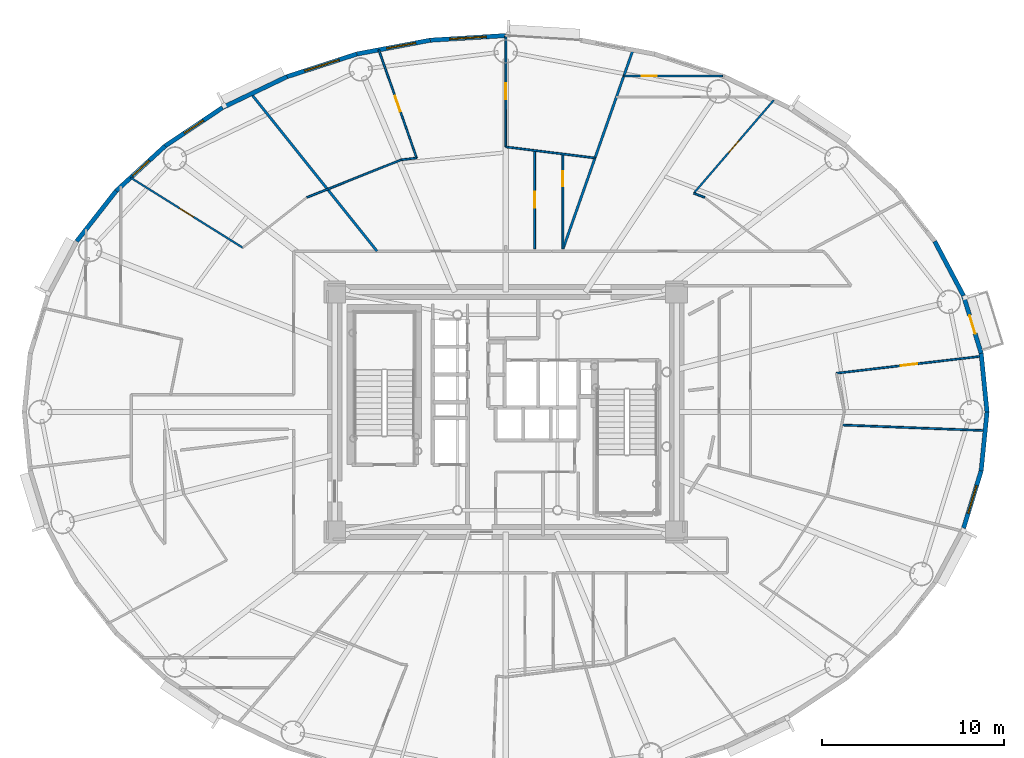
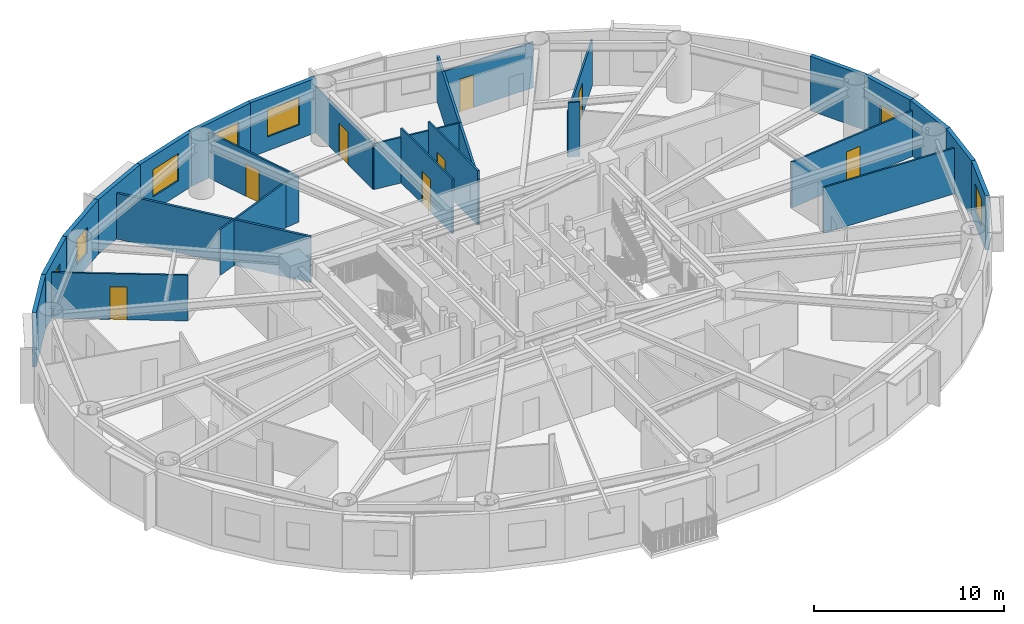
# One storey, part 10 of 18: 27 walls, 9 doors, 6 windows, 15 openings.
"""IFC4 building model written with IfcOpenShell, lengths in metres."""

from ifc_helpers import new_model, si_unit, direction, frame, frame_2d, origin, origin_2d, place, context, subcontext, project, spatial, rectangle, extrude, source, transform, mapped, material, layer, layer_set, type_object, element, fill, save


model = new_model("IFC4")

# Units and contexts
model_context = context("Model", 3, precision=1e-05, world=origin(), true_north=direction((0.0, 1.0)))
body_context = subcontext(model_context, "Body", "Model", "MODEL_VIEW")
ifc_project = project(units=[si_unit("LENGTHUNIT", "METRE"), si_unit("AREAUNIT", "SQUARE_METRE"), si_unit("VOLUMEUNIT", "CUBIC_METRE"), si_unit("PLANEANGLEUNIT", "RADIAN"), si_unit("MASSUNIT", "GRAM", prefix="KILO")], contexts=[model_context])

# Site, building, storey
site_placement = place(None, origin())
site = spatial("IfcSite", under=ifc_project, at=site_placement, CompositionType="ELEMENT")
building_placement = place(site_placement, origin())
building = spatial("IfcBuilding", under=site, at=building_placement, Name="Linh Dai School and Residence Tower", CompositionType="ELEMENT")
storey_placement = place(building_placement, frame((0.0, 0.0, 178.64990234375)))
storey = spatial("IfcBuildingStorey", under=building, at=storey_placement, Name="L43", CompositionType="ELEMENT", Elevation=178.64990234375)

# Wall
ifc_material_1 = material(Name="Precast Concrete B45 (C35/45)", Category="concrete")
ifc_layer_1 = layer(ifc_material_1, 0.239990234375)
ifc_layer_set_1 = layer_set([ifc_layer_1], Name="Precast Concrete B45 (C35/45)")
wall_type_1 = type_object("IfcWallType", Name="EW-TC-240", PredefinedType="SOLIDWALL", material=ifc_layer_set_1)
wall_1_placement = place(storey_placement, frame((62.14990234375, 30.233642578125, 0.0), z_axis=(0.0, 0.0, 1.0), x_axis=(0.100061534614, -0.994981250723, 0.0)))
element("IfcWall", 1, at=wall_1_placement, inside=storey, type_object=wall_type_1, Name="L43 Terracotta Exterior Wall 01", PredefinedType="SOLIDWALL", context=body_context, shape_type="SweptSolid", body=[
    extrude(rectangle(XDim=3.25, YDim=0.239990234375, at=frame_2d((1.625, 0.0))), origin(), (0.0, 0.0, 1.0), 3.5),
])

# Wall, opening, door
wall_2_placement = place(storey_placement, frame((61.1826171875, 33.388916015625, 0.0), z_axis=(0.0, 0.0, 1.0), x_axis=(0.293097995113, -0.956082405058, 0.0)))
wall_2 = element("IfcWall", 2, at=wall_2_placement, inside=storey, type_object=wall_type_1, Name="L43 Terracotta Exterior Wall 02", PredefinedType="SOLIDWALL", context=body_context, shape_type="SweptSolid", body=[
    extrude(rectangle(XDim=3.30029296875, YDim=0.239990234375, at=frame_2d((1.650146484375, 0.0))), origin(), (0.0, 0.0, 1.0), 3.5),
])
opening_1_placement = place(wall_2_placement, frame((1.125, 0.0, 0.0)))
opening_1 = element("IfcOpeningElement", 3, at=opening_1_placement, cuts=wall_2, Name="Opening BD1", PredefinedType="OPENING", context=body_context, shape_type="SweptSolid", body=[
    extrude(rectangle(XDim=1.050048828125, YDim=2.14990234375, at=origin_2d()), frame((0.52490234375, 0.1298828125, 1.074951171875), z_axis=(0.0, -1.0, 0.0), x_axis=(1.0, 0.0, 0.0)), (0.0, 0.0, 1.0), 0.260009765625),
])
ifc_material_2 = material(Name="Double-Glazed Balcony Door", Category="glass")
door_type_1 = type_object("IfcDoorType", Name="DR-BALC-1050x2150", OperationType="NOTDEFINED", PredefinedType="DOOR", material=ifc_material_2)
shared_shape_1 = source(origin(), body_context, "Body", "SweptSolid", [
    extrude(rectangle(XDim=1.050048828125, YDim=2.14990234375, at=origin_2d()), frame((0.52490234375, 0.02490234375, 1.074951171875), z_axis=(0.0, -1.0, 0.0), x_axis=(1.0, 0.0, 0.0)), (0.0, 0.0, 1.0), 0.050048828125),
])
door_1_placement = place(opening_1_placement, origin())
door_1 = element("IfcDoor", 4, at=door_1_placement, inside=storey, type_object=door_type_1, Name="L43 Glazed Balcony Door 02", OperationType="SINGLE_SWING_LEFT", OverallHeight=2.14990234375, OverallWidth=1.050048828125, PredefinedType="DOOR", context=body_context, shape_type="MappedRepresentation", body=[
    mapped(shared_shape_1, transform((0.0, 0.0, 0.0), x_axis=(1.0, 0.0, 0.0), y_axis=(0.0, 1.0, 0.0), z_axis=(0.0, 0.0, 1.0), scale=1.0)),
])
fill(opening_1, door_1)

# Wall
wall_3_placement = place(storey_placement, frame((59.595947265625, 36.388427734375, 0.0), z_axis=(0.0, 0.0, 1.0), x_axis=(0.467586874938, -0.88394712194, 0.0)))
element("IfcWall", 5, at=wall_3_placement, inside=storey, type_object=wall_type_1, Name="L43 Terracotta Exterior Wall 03", PredefinedType="SOLIDWALL", context=body_context, shape_type="SweptSolid", body=[
    extrude(rectangle(XDim=3.393310546875, YDim=0.239990234375, at=frame_2d((1.69677734375, 0.0))), origin(), (0.0, 0.0, 1.0), 3.5),
])

# Wall, opening, window
wall_4_placement = place(storey_placement, frame((31.854248046875, 47.449462890625, 0.0), z_axis=(0.0, 0.0, 1.0), x_axis=(0.998104600619, 0.061540281305, 0.0)))
wall_4 = element("IfcWall", 6, at=wall_4_placement, inside=storey, type_object=wall_type_1, Name="L43 Terracotta Exterior Wall 11", PredefinedType="SOLIDWALL", context=body_context, shape_type="SweptSolid", body=[
    extrude(rectangle(XDim=4.153564453125, YDim=0.239990234375, at=frame_2d((2.07666015625, 0.0))), origin(), (0.0, 0.0, 1.0), 3.5),
])
opening_2_placement = place(wall_4_placement, frame((1.08154296875, 0.0, 0.89990234375)))
opening_2 = element("IfcOpeningElement", 7, at=opening_2_placement, cuts=wall_4, Name="Opening W1", PredefinedType="OPENING", context=body_context, shape_type="SweptSolid", body=[
    extrude(rectangle(XDim=2.0, YDim=1.75, at=origin_2d()), frame((1.0, 0.1298828125, 0.875), z_axis=(0.0, -1.0, 0.0), x_axis=(1.0, 0.0, 0.0)), (0.0, 0.0, 1.0), 0.260009765625),
])
ifc_material_3 = material(Name="Double Low-E Insulated Glazing", Category="glass")
window_type_1 = type_object("IfcWindowType", Name="WN-RES-2000x1750", PartitioningType="DOUBLE_PANEL_VERTICAL", PredefinedType="WINDOW", material=ifc_material_3)
shared_shape_2 = source(origin(), body_context, "Body", "SweptSolid", [
    extrude(rectangle(XDim=2.0, YDim=1.75, at=origin_2d()), frame((1.0, 0.030029296875, 0.875), z_axis=(0.0, -1.0, 0.0), x_axis=(1.0, 0.0, 0.0)), (0.0, 0.0, 1.0), 0.06005859375),
])
window_1_placement = place(opening_2_placement, origin())
window_1 = element("IfcWindow", 8, at=window_1_placement, inside=storey, type_object=window_type_1, Name="L43 Exterior Window 11.1", OverallHeight=1.75, OverallWidth=2.0, PartitioningType="DOUBLE_PANEL_VERTICAL", PredefinedType="WINDOW", context=body_context, shape_type="MappedRepresentation", body=[
    mapped(shared_shape_2, transform((0.0, 0.0, 0.0), x_axis=(1.0, 0.0, 0.0), y_axis=(0.0, 1.0, 0.0), z_axis=(0.0, 0.0, 1.0), scale=1.0)),
])
fill(opening_2, window_1)

wall_5_placement = place(storey_placement, frame((27.81103515625, 46.689453125, 0.0), z_axis=(0.0, 0.0, 1.0), x_axis=(0.982788108205, 0.184736391573, 0.0)))
wall_5 = element("IfcWall", 9, at=wall_5_placement, inside=storey, type_object=wall_type_1, Name="L43 Terracotta Exterior Wall 12", PredefinedType="SOLIDWALL", context=body_context, shape_type="SweptSolid", body=[
    extrude(rectangle(XDim=4.114013671875, YDim=0.239990234375, at=frame_2d((2.05712890625, 0.0))), origin(), (0.0, 0.0, 1.0), 3.5),
])
opening_3_placement = place(wall_5_placement, frame((1.687255859375, 0.0, 0.89990234375)))
opening_3 = element("IfcOpeningElement", 10, at=opening_3_placement, cuts=wall_5, Name="Opening W2", PredefinedType="OPENING", context=body_context, shape_type="SweptSolid", body=[
    extrude(rectangle(XDim=1.60009765625, YDim=1.75, at=origin_2d()), frame((0.800048828125, 0.1298828125, 0.875), z_axis=(0.0, -1.0, 0.0), x_axis=(1.0, 0.0, 0.0)), (0.0, 0.0, 1.0), 0.260009765625),
])
window_type_2 = type_object("IfcWindowType", Name="WN-RES-1600x1750", PartitioningType="DOUBLE_PANEL_VERTICAL", PredefinedType="WINDOW", material=ifc_material_3)
shared_shape_3 = source(origin(), body_context, "Body", "SweptSolid", [
    extrude(rectangle(XDim=1.60009765625, YDim=1.75, at=origin_2d()), frame((0.800048828125, 0.030029296875, 0.875), z_axis=(0.0, -1.0, 0.0), x_axis=(1.0, 0.0, 0.0)), (0.0, 0.0, 1.0), 0.06005859375),
])
window_2_placement = place(opening_3_placement, origin())
window_2 = element("IfcWindow", 11, at=window_2_placement, inside=storey, type_object=window_type_2, Name="L43 Exterior Window 12.1", OverallHeight=1.75, OverallWidth=1.60009765625, PartitioningType="DOUBLE_PANEL_VERTICAL", PredefinedType="WINDOW", context=body_context, shape_type="MappedRepresentation", body=[
    mapped(shared_shape_3, transform((0.0, 0.0, 0.0), x_axis=(1.0, 0.0, 0.0), y_axis=(0.0, 1.0, 0.0), z_axis=(0.0, 0.0, 1.0), scale=1.0)),
])
fill(opening_3, window_2)

wall_6_placement = place(storey_placement, frame((23.97021484375, 45.443603515625, 0.0), z_axis=(0.0, 0.0, 1.0), x_axis=(0.951209870236, 0.30854462038, 0.0)))
wall_6 = element("IfcWall", 12, at=wall_6_placement, inside=storey, type_object=wall_type_1, Name="L43 Terracotta Exterior Wall 13", PredefinedType="SOLIDWALL", context=body_context, shape_type="SweptSolid", body=[
    extrude(rectangle(XDim=4.037841796875, YDim=0.239990234375, at=frame_2d((2.01904296875, 0.0))), origin(), (0.0, 0.0, 1.0), 3.5),
])
opening_4_placement = place(wall_6_placement, frame((1.01904296875, 0.0, 0.89990234375)))
opening_4 = element("IfcOpeningElement", 13, at=opening_4_placement, cuts=wall_6, Name="Opening W1", PredefinedType="OPENING", context=body_context, shape_type="SweptSolid", body=[
    extrude(rectangle(XDim=2.0, YDim=1.75, at=origin_2d()), frame((1.0, 0.1298828125, 0.875), z_axis=(0.0, -1.0, 0.0), x_axis=(1.0, 0.0, 0.0)), (0.0, 0.0, 1.0), 0.260009765625),
])
window_3_placement = place(opening_4_placement, origin())
window_3 = element("IfcWindow", 14, at=window_3_placement, inside=storey, type_object=window_type_1, Name="L43 Exterior Window 13.1", OverallHeight=1.75, OverallWidth=2.0, PartitioningType="DOUBLE_PANEL_VERTICAL", PredefinedType="WINDOW", context=body_context, shape_type="MappedRepresentation", body=[
    mapped(shared_shape_2, transform((0.0, 0.0, 0.0), x_axis=(1.0, 0.0, 0.0), y_axis=(0.0, 1.0, 0.0), z_axis=(0.0, 0.0, 1.0), scale=1.0)),
])
fill(opening_4, window_3)

# Wall
wall_7_placement = place(storey_placement, frame((20.4267578125, 43.7431640625, 0.0), z_axis=(0.0, 0.0, 1.0), x_axis=(0.901564733809, 0.432644231155, 0.0)))
element("IfcWall", 15, at=wall_7_placement, inside=storey, type_object=wall_type_1, Name="L43 Terracotta Exterior Wall 14", PredefinedType="SOLIDWALL", context=body_context, shape_type="SweptSolid", body=[
    extrude(rectangle(XDim=3.930419921875, YDim=0.239990234375, at=frame_2d((1.96533203125, 0.0))), origin(), (0.0, 0.0, 1.0), 3.5),
])

# Wall, opening, window
wall_8_placement = place(storey_placement, frame((17.26806640625, 41.630615234375, 0.0), z_axis=(0.0, 0.0, 1.0), x_axis=(0.831228998277, 0.555930168657, 0.0)))
wall_8 = element("IfcWall", 16, at=wall_8_placement, inside=storey, type_object=wall_type_1, Name="L43 Terracotta Exterior Wall 15", PredefinedType="SOLIDWALL", context=body_context, shape_type="SweptSolid", body=[
    extrude(rectangle(XDim=3.800048828125, YDim=0.239990234375, at=frame_2d((1.89990234375, 0.0))), origin(), (0.0, 0.0, 1.0), 3.5),
])
opening_5_placement = place(wall_8_placement, frame((1.27490234375, 0.0, 0.89990234375)))
opening_5 = element("IfcOpeningElement", 17, at=opening_5_placement, cuts=wall_8, Name="Opening W3", PredefinedType="OPENING", context=body_context, shape_type="SweptSolid", body=[
    extrude(rectangle(XDim=1.25, YDim=1.64990234375, at=origin_2d()), frame((0.625, 0.1298828125, 0.824951171875), z_axis=(0.0, -1.0, 0.0), x_axis=(1.0, 0.0, 0.0)), (0.0, 0.0, 1.0), 0.260009765625),
])
window_type_3 = type_object("IfcWindowType", Name="WN-RES-1250x1650", PartitioningType="SINGLE_PANEL", PredefinedType="WINDOW", material=ifc_material_3)
shared_shape_4 = source(origin(), body_context, "Body", "SweptSolid", [
    extrude(rectangle(XDim=1.25, YDim=1.64990234375, at=origin_2d()), frame((0.625, 0.030029296875, 0.824951171875), z_axis=(0.0, -1.0, 0.0), x_axis=(1.0, 0.0, 0.0)), (0.0, 0.0, 1.0), 0.06005859375),
])
window_4_placement = place(opening_5_placement, origin())
window_4 = element("IfcWindow", 18, at=window_4_placement, inside=storey, type_object=window_type_3, Name="L43 Dwelling Window U4303-BD1", OverallHeight=1.64990234375, OverallWidth=1.25, PartitioningType="SINGLE_PANEL", PredefinedType="WINDOW", context=body_context, shape_type="MappedRepresentation", body=[
    mapped(shared_shape_4, transform((0.0, 0.0, 0.0), x_axis=(1.0, 0.0, 0.0), y_axis=(0.0, 1.0, 0.0), z_axis=(0.0, 0.0, 1.0), scale=1.0)),
])
fill(opening_5, window_4)

wall_9_placement = place(storey_placement, frame((14.57177734375, 39.158447265625, 0.0), z_axis=(0.0, 0.0, 1.0), x_axis=(0.737076565834, 0.675809245349, 0.0)))
wall_9 = element("IfcWall", 19, at=wall_9_placement, inside=storey, type_object=wall_type_1, Name="L43 Terracotta Exterior Wall 16", PredefinedType="SOLIDWALL", context=body_context, shape_type="SweptSolid", body=[
    extrude(rectangle(XDim=3.658203125, YDim=0.239990234375, at=frame_2d((1.8291015625, 0.0))), origin(), (0.0, 0.0, 1.0), 3.5),
])
opening_6_placement = place(wall_9_placement, frame((1.22412109375, 0.0, 0.89990234375)))
opening_6 = element("IfcOpeningElement", 20, at=opening_6_placement, cuts=wall_9, Name="Opening W3", PredefinedType="OPENING", context=body_context, shape_type="SweptSolid", body=[
    extrude(rectangle(XDim=1.25, YDim=1.64990234375, at=origin_2d()), frame((0.625, 0.1298828125, 0.824951171875), z_axis=(0.0, -1.0, 0.0), x_axis=(1.0, 0.0, 0.0)), (0.0, 0.0, 1.0), 0.260009765625),
])
window_5_placement = place(opening_6_placement, origin())
window_5 = element("IfcWindow", 21, at=window_5_placement, inside=storey, type_object=window_type_3, Name="L43 Dwelling Window U4303-LIV", OverallHeight=1.64990234375, OverallWidth=1.25, PartitioningType="SINGLE_PANEL", PredefinedType="WINDOW", context=body_context, shape_type="MappedRepresentation", body=[
    mapped(shared_shape_4, transform((0.0, 0.0, 0.0), x_axis=(1.0, 0.0, 0.0), y_axis=(0.0, 1.0, 0.0), z_axis=(0.0, 0.0, 1.0), scale=1.0)),
])
fill(opening_6, window_5)

# Wall
wall_10_placement = place(storey_placement, frame((12.404052734375, 36.388427734375, 0.0), z_axis=(0.0, 0.0, 1.0), x_axis=(0.616287674549, 0.787521112224, 0.0)))
element("IfcWall", 22, at=wall_10_placement, inside=storey, type_object=wall_type_1, Name="L43 Terracotta Exterior Wall 17", PredefinedType="SOLIDWALL", context=body_context, shape_type="SweptSolid", body=[
    extrude(rectangle(XDim=3.517333984375, YDim=0.239990234375, at=frame_2d((1.7587890625, 0.0))), origin(), (0.0, 0.0, 1.0), 3.5),
])

# Wall, opening, window
wall_11_placement = place(storey_placement, frame((62.14990234375, 23.766357421875, 0.0), z_axis=(0.0, 0.0, 1.0), x_axis=(-0.293097995113, -0.956082405058, 0.0)))
wall_11 = element("IfcWall", 23, at=wall_11_placement, inside=storey, type_object=wall_type_1, Name="L43 Terracotta Exterior Wall 39", PredefinedType="SOLIDWALL", context=body_context, shape_type="SweptSolid", body=[
    extrude(rectangle(XDim=3.30029296875, YDim=0.239990234375, at=frame_2d((1.650146484375, 0.0))), origin(), (0.0, 0.0, 1.0), 3.5),
])
opening_7_placement = place(wall_11_placement, frame((0.85009765625, 0.0, 0.89990234375)))
opening_7 = element("IfcOpeningElement", 24, at=opening_7_placement, cuts=wall_11, Name="Opening W2", PredefinedType="OPENING", context=body_context, shape_type="SweptSolid", body=[
    extrude(rectangle(XDim=1.60009765625, YDim=1.75, at=origin_2d()), frame((0.800048828125, 0.1298828125, 0.875), z_axis=(0.0, -1.0, 0.0), x_axis=(1.0, 0.0, 0.0)), (0.0, 0.0, 1.0), 0.260009765625),
])
window_6_placement = place(opening_7_placement, origin())
window_6 = element("IfcWindow", 25, at=window_6_placement, inside=storey, type_object=window_type_2, Name="L43 Exterior Window 39.1", OverallHeight=1.75, OverallWidth=1.60009765625, PartitioningType="DOUBLE_PANEL_VERTICAL", PredefinedType="WINDOW", context=body_context, shape_type="MappedRepresentation", body=[
    mapped(shared_shape_3, transform((0.0, 0.0, 0.0), x_axis=(1.0, 0.0, 0.0), y_axis=(0.0, 1.0, 0.0), z_axis=(0.0, 0.0, 1.0), scale=1.0)),
])
fill(opening_7, window_6)

# Walls
wall_12_placement = place(storey_placement, frame((62.47509765625, 27.0, 0.0), z_axis=(0.0, 0.0, 1.0), x_axis=(-0.100061534614, -0.994981250723, 0.0)))
element("IfcWall", 26, at=wall_12_placement, inside=storey, type_object=wall_type_1, Name="L43 Terracotta Exterior Wall 40", PredefinedType="SOLIDWALL", context=body_context, shape_type="SweptSolid", body=[
    extrude(rectangle(XDim=3.25, YDim=0.239990234375, at=frame_2d((1.625, 0.0))), origin(), (0.0, 0.0, 1.0), 3.5),
])
ifc_material_4 = material(Name="Autoclaved Aerated Concrete Blockwork", Category="masonry")
ifc_layer_2 = layer(ifc_material_4, 0.135009765625)
ifc_layer_set_2 = layer_set([ifc_layer_2], Name="Autoclaved Aerated Concrete Blockwork")
wall_type_2 = type_object("IfcWallType", Name="IW-CORR-135-EI90", PredefinedType="PARTITIONING", material=ifc_layer_set_2)
wall_13_placement = place(storey_placement, frame((21.99853515625, 44.5029296875, 0.0), z_axis=(0.0, 0.0, 1.0), x_axis=(0.624673551917, -0.780886005468, 0.0)))
element("IfcWall", 27, at=wall_13_placement, inside=storey, type_object=wall_type_2, Name="L43 Interior Partition Wall 020", PredefinedType="PARTITIONING", context=body_context, shape_type="SweptSolid", body=[
    extrude(rectangle(XDim=11.080810546875, YDim=0.135009765625, at=frame_2d((5.54052734375, 0.0))), origin(), (0.0, 0.0, 1.0), 2.93505859375),
])
wall_14_placement = place(storey_placement, frame((39.154052734375, 35.97216796875, 0.0), z_axis=(0.0, 0.0, 1.0), x_axis=(0.331639887377, 0.94340605526, 0.0)))
element("IfcWall", 28, at=wall_14_placement, inside=storey, type_object=wall_type_2, Name="L43 Interior Partition Wall 070", PredefinedType="PARTITIONING", context=body_context, shape_type="SweptSolid", body=[
    extrude(rectangle(XDim=11.601806640625, YDim=0.135009765625, at=frame_2d((5.80078125, 0.0))), origin(), (0.0, 0.0, 1.0), 2.93505859375),
])

# Wall, opening, door
ifc_material_5 = material(Name="Gypsum Plasterboard Acoustic Stud Partition", Category="masonry")
ifc_layer_3 = layer(ifc_material_5, 0.10009765625)
ifc_layer_set_3 = layer_set([ifc_layer_3], Name="Gypsum Plasterboard Acoustic Stud Partition")
wall_type_3 = type_object("IfcWallType", Name="IW-UNIT-100", PredefinedType="PARTITIONING", material=ifc_layer_set_3)
wall_15_placement = place(storey_placement, frame((15.365966796875, 39.8935546875, 0.0), z_axis=(0.0, 0.0, 1.0), x_axis=(0.84804732756, -0.529920494242, 0.0)))
wall_15 = element("IfcWall", 29, at=wall_15_placement, inside=storey, type_object=wall_type_3, Name="L43 Interior Partition Wall 006", PredefinedType="PARTITIONING", context=body_context, shape_type="SweptSolid", body=[
    extrude(rectangle(XDim=7.273681640625, YDim=0.10009765625, at=frame_2d((3.63671875, 0.0))), origin(), (0.0, 0.0, 1.0), 2.93505859375),
])
opening_8_placement = place(wall_15_placement, frame((3.186767578125, 0.0, 0.0)))
opening_8 = element("IfcOpeningElement", 30, at=opening_8_placement, cuts=wall_15, Name="Opening D05", PredefinedType="OPENING", context=body_context, shape_type="SweptSolid", body=[
    extrude(rectangle(XDim=0.89990234375, YDim=2.10009765625, at=origin_2d()), frame((0.449951171875, 0.06005859375, 1.050048828125), z_axis=(0.0, -1.0, 0.0), x_axis=(1.0, 0.0, 0.0)), (0.0, 0.0, 1.0), 0.1201171875),
])
ifc_material_6 = material(Name="Engineered Timber Internal Door", Category="wood")
door_type_2 = type_object("IfcDoorType", Name="DR-INT-900x2100", OperationType="NOTDEFINED", PredefinedType="DOOR", material=ifc_material_6)
shared_shape_5 = source(origin(), body_context, "Body", "SweptSolid", [
    extrude(rectangle(XDim=0.89990234375, YDim=2.10009765625, at=origin_2d()), frame((0.449951171875, 0.02490234375, 1.050048828125), z_axis=(0.0, -1.0, 0.0), x_axis=(1.0, 0.0, 0.0)), (0.0, 0.0, 1.0), 0.050048828125),
])
door_2_placement = place(opening_8_placement, origin())
door_2 = element("IfcDoor", 31, at=door_2_placement, inside=storey, type_object=door_type_2, Name="L43 Apartment U4303 Principal Bedroom 1 Door", OperationType="SINGLE_SWING_RIGHT", OverallHeight=2.10009765625, OverallWidth=0.89990234375, PredefinedType="DOOR", context=body_context, shape_type="MappedRepresentation", body=[
    mapped(shared_shape_5, transform((0.0, 0.0, 0.0), x_axis=(1.0, 0.0, 0.0), y_axis=(0.0, 1.0, 0.0), z_axis=(0.0, 0.0, 1.0), scale=1.0)),
])
fill(opening_8, door_2)

# Wall
wall_16_placement = place(storey_placement, frame((25.055419921875, 38.79638671875, 0.0), z_axis=(0.0, 0.0, 1.0), x_axis=(0.928798710424, 0.370584613166, 0.0)))
element("IfcWall", 32, at=wall_16_placement, inside=storey, type_object=wall_type_3, Name="L43 Interior Partition Wall 025", PredefinedType="PARTITIONING", context=body_context, shape_type="SweptSolid", body=[
    extrude(rectangle(XDim=5.588623046875, YDim=0.10009765625, at=frame_2d((2.79443359375, 0.0))), origin(), (0.0, 0.0, 1.0), 2.93505859375),
])

# Wall, opening, door
wall_17_placement = place(storey_placement, frame((29.017578125, 46.92138671875, 0.0), z_axis=(0.0, 0.0, 1.0), x_axis=(0.330774858624, -0.943709697366, 0.0)))
wall_17 = element("IfcWall", 33, at=wall_17_placement, inside=storey, type_object=wall_type_3, Name="L43 Interior Partition Wall 029", PredefinedType="PARTITIONING", context=body_context, shape_type="SweptSolid", body=[
    extrude(rectangle(XDim=6.302490234375, YDim=0.10009765625, at=frame_2d((3.1513671875, 0.0))), origin(), (0.0, 0.0, 1.0), 2.93505859375),
])
opening_9_placement = place(wall_17_placement, frame((2.701171875, 0.0, 0.0)))
opening_9 = element("IfcOpeningElement", 34, at=opening_9_placement, cuts=wall_17, Name="Opening D05", PredefinedType="OPENING", context=body_context, shape_type="SweptSolid", body=[
    extrude(rectangle(XDim=0.89990234375, YDim=2.10009765625, at=origin_2d()), frame((0.449951171875, 0.06005859375, 1.050048828125), z_axis=(0.0, -1.0, 0.0), x_axis=(1.0, 0.0, 0.0)), (0.0, 0.0, 1.0), 0.1201171875),
])
door_3_placement = place(opening_9_placement, origin())
door_3 = element("IfcDoor", 35, at=door_3_placement, inside=storey, type_object=door_type_2, Name="L43 Apartment U4302 Principal Bedroom 2 Door", OperationType="SINGLE_SWING_RIGHT", OverallHeight=2.10009765625, OverallWidth=0.89990234375, PredefinedType="DOOR", context=body_context, shape_type="MappedRepresentation", body=[
    mapped(shared_shape_5, transform((0.0, 0.0, 0.0), x_axis=(1.0, 0.0, 0.0), y_axis=(0.0, 1.0, 0.0), z_axis=(0.0, 0.0, 1.0), scale=1.0)),
])
fill(opening_9, door_3)

# Wall
wall_18_placement = place(storey_placement, frame((30.24609375, 40.867431640625, 0.0), z_axis=(0.0, 0.0, 1.0), x_axis=(0.992394974801, 0.123094329637, 0.0)))
element("IfcWall", 36, at=wall_18_placement, inside=storey, type_object=wall_type_3, Name="L43 Interior Partition Wall 031", PredefinedType="PARTITIONING", context=body_context, shape_type="SweptSolid", body=[
    extrude(rectangle(XDim=0.86279296875, YDim=0.10009765625, at=frame_2d((0.431396484375, 0.0))), origin(), (0.0, 0.0, 1.0), 2.93505859375),
])

# Wall, opening, door
wall_19_placement = place(storey_placement, frame((36.006591796875, 41.580078125, 0.0), z_axis=(0.0, 0.0, 1.0), x_axis=(0.000477973338, 0.999999885771, 0.0)))
wall_19 = element("IfcWall", 37, at=wall_19_placement, inside=storey, type_object=wall_type_3, Name="L43 Interior Partition Wall 056", PredefinedType="PARTITIONING", context=body_context, shape_type="SweptSolid", body=[
    extrude(rectangle(XDim=6.12939453125, YDim=0.10009765625, at=frame_2d((3.064697265625, 0.0))), origin(), (0.0, 0.0, 1.0), 2.93505859375),
])
opening_10_placement = place(wall_19_placement, frame((2.614501953125, 0.0, 0.0)))
opening_10 = element("IfcOpeningElement", 38, at=opening_10_placement, cuts=wall_19, Name="Opening D05", PredefinedType="OPENING", context=body_context, shape_type="SweptSolid", body=[
    extrude(rectangle(XDim=0.89990234375, YDim=2.10009765625, at=origin_2d()), frame((0.449951171875, 0.06005859375, 1.050048828125), z_axis=(0.0, -1.0, 0.0), x_axis=(1.0, 0.0, 0.0)), (0.0, 0.0, 1.0), 0.1201171875),
])
door_4_placement = place(opening_10_placement, origin())
door_4 = element("IfcDoor", 39, at=door_4_placement, inside=storey, type_object=door_type_2, Name="L43 Apartment U4302 Bedroom 1 Door", OperationType="SINGLE_SWING_LEFT", OverallHeight=2.10009765625, OverallWidth=0.89990234375, PredefinedType="DOOR", context=body_context, shape_type="MappedRepresentation", body=[
    mapped(shared_shape_5, transform((0.0, 0.0, 0.0), x_axis=(1.0, 0.0, 0.0), y_axis=(0.0, 1.0, 0.0), z_axis=(0.0, 0.0, 1.0), scale=1.0)),
])
fill(opening_10, door_4)

# Wall
wall_20_placement = place(storey_placement, frame((36.006591796875, 41.580078125, 0.0), z_axis=(0.0, 0.0, 1.0), x_axis=(0.992395965764, -0.123086340169, 0.0)))
element("IfcWall", 40, at=wall_20_placement, inside=storey, type_object=wall_type_3, Name="L43 Interior Partition Wall 057", PredefinedType="PARTITIONING", context=body_context, shape_type="SweptSolid", body=[
    extrude(rectangle(XDim=4.94287109375, YDim=0.10009765625, at=frame_2d((2.471435546875, 0.0))), origin(), (0.0, 0.0, 1.0), 2.93505859375),
])

# Wall, opening, door
wall_21_placement = place(storey_placement, frame((37.59228515625, 35.9677734375, 0.0), z_axis=(0.0, 0.0, 1.0), x_axis=(0.0, 1.0, 0.0)))
wall_21 = element("IfcWall", 41, at=wall_21_placement, inside=storey, type_object=wall_type_3, Name="L43 Interior Partition Wall 060", PredefinedType="PARTITIONING", context=body_context, shape_type="SweptSolid", body=[
    extrude(rectangle(XDim=5.415771484375, YDim=0.10009765625, at=frame_2d((2.7080078125, 0.0))), origin(), (0.0, 0.0, 1.0), 3.5),
])
opening_11_placement = place(wall_21_placement, frame((2.2578125, 0.0, 0.0)))
opening_11 = element("IfcOpeningElement", 42, at=opening_11_placement, cuts=wall_21, Name="Opening D05", PredefinedType="OPENING", context=body_context, shape_type="SweptSolid", body=[
    extrude(rectangle(XDim=0.89990234375, YDim=2.10009765625, at=origin_2d()), frame((0.449951171875, 0.06005859375, 1.050048828125), z_axis=(0.0, -1.0, 0.0), x_axis=(1.0, 0.0, 0.0)), (0.0, 0.0, 1.0), 0.1201171875),
])
door_5_placement = place(opening_11_placement, origin())
door_5 = element("IfcDoor", 43, at=door_5_placement, inside=storey, type_object=door_type_2, Name="L43 Apartment U4302 Kitchen Door", OperationType="SINGLE_SWING_LEFT", OverallHeight=2.10009765625, OverallWidth=0.89990234375, PredefinedType="DOOR", context=body_context, shape_type="MappedRepresentation", body=[
    mapped(shared_shape_5, transform((0.0, 0.0, 0.0), x_axis=(1.0, 0.0, 0.0), y_axis=(0.0, 1.0, 0.0), z_axis=(0.0, 0.0, 1.0), scale=1.0)),
])
fill(opening_11, door_5)

wall_22_placement = place(storey_placement, frame((39.14599609375, 35.973388671875, 0.0), z_axis=(0.0, 0.0, 1.0), x_axis=(0.0, 1.0, 0.0)))
wall_22 = element("IfcWall", 44, at=wall_22_placement, inside=storey, type_object=wall_type_3, Name="L43 Interior Partition Wall 069", PredefinedType="PARTITIONING", context=body_context, shape_type="SweptSolid", body=[
    extrude(rectangle(XDim=5.217529296875, YDim=0.10009765625, at=frame_2d((2.60888671875, 0.0))), origin(), (0.0, 0.0, 1.0), 3.5),
])
opening_12_placement = place(wall_22_placement, frame((3.44580078125, 0.0, 0.0)))
opening_12 = element("IfcOpeningElement", 45, at=opening_12_placement, cuts=wall_22, Name="Opening D06", PredefinedType="OPENING", context=body_context, shape_type="SweptSolid", body=[
    extrude(rectangle(XDim=0.820068359375, YDim=2.10009765625, at=origin_2d()), frame((0.41015625, 0.06005859375, 1.050048828125), z_axis=(0.0, -1.0, 0.0), x_axis=(1.0, 0.0, 0.0)), (0.0, 0.0, 1.0), 0.1201171875),
])
ifc_material_7 = material(Name="Moisture-Resistant Timber Bathroom Door", Category="wood")
door_type_3 = type_object("IfcDoorType", Name="DR-WET-820x2100", OperationType="NOTDEFINED", PredefinedType="DOOR", material=ifc_material_7)
shared_shape_6 = source(origin(), body_context, "Body", "SweptSolid", [
    extrude(rectangle(XDim=0.820068359375, YDim=2.10009765625, at=origin_2d()), frame((0.41015625, 0.02490234375, 1.050048828125), z_axis=(0.0, -1.0, 0.0), x_axis=(1.0, 0.0, 0.0)), (0.0, 0.0, 1.0), 0.050048828125),
])
door_6_placement = place(opening_12_placement, origin())
door_6 = element("IfcDoor", 46, at=door_6_placement, inside=storey, type_object=door_type_3, Name="L43 Apartment U4302 Bathroom 1 Door", OperationType="SINGLE_SWING_RIGHT", OverallHeight=2.10009765625, OverallWidth=0.820068359375, PredefinedType="DOOR", context=body_context, shape_type="MappedRepresentation", body=[
    mapped(shared_shape_6, transform((0.0, 0.0, 0.0), x_axis=(1.0, 0.0, 0.0), y_axis=(0.0, 1.0, 0.0), z_axis=(0.0, 0.0, 1.0), scale=1.0)),
])
fill(opening_12, door_6)

wall_23_placement = place(storey_placement, frame((42.49658203125, 45.48046875, 0.0), z_axis=(0.0, 0.0, 1.0), x_axis=(1.0, 0.0, 0.0)))
wall_23 = element("IfcWall", 47, at=wall_23_placement, inside=storey, type_object=wall_type_3, Name="L43 Interior Partition Wall 079", PredefinedType="PARTITIONING", context=body_context, shape_type="SweptSolid", body=[
    extrude(rectangle(XDim=5.435302734375, YDim=0.10009765625, at=frame_2d((2.7177734375, 0.0))), origin(), (0.0, 0.0, 1.0), 2.93505859375),
])
opening_13_placement = place(wall_23_placement, frame((0.9951171875, 0.0, 0.0)))
opening_13 = element("IfcOpeningElement", 48, at=opening_13_placement, cuts=wall_23, Name="Opening D06", PredefinedType="OPENING", context=body_context, shape_type="SweptSolid", body=[
    extrude(rectangle(XDim=0.820068359375, YDim=2.10009765625, at=origin_2d()), frame((0.41015625, 0.06005859375, 1.050048828125), z_axis=(0.0, -1.0, 0.0), x_axis=(1.0, 0.0, 0.0)), (0.0, 0.0, 1.0), 0.1201171875),
])
door_7_placement = place(opening_13_placement, origin())
door_7 = element("IfcDoor", 49, at=door_7_placement, inside=storey, type_object=door_type_3, Name="L43 Apartment U4301 Bathroom 1 Door", OperationType="SINGLE_SWING_LEFT", OverallHeight=2.10009765625, OverallWidth=0.820068359375, PredefinedType="DOOR", context=body_context, shape_type="MappedRepresentation", body=[
    mapped(shared_shape_6, transform((0.0, 0.0, 0.0), x_axis=(1.0, 0.0, 0.0), y_axis=(0.0, 1.0, 0.0), z_axis=(0.0, 0.0, 1.0), scale=1.0)),
])
fill(opening_13, door_7)

# Wall
wall_24_placement = place(storey_placement, frame((46.345947265625, 39.03515625, 0.0), z_axis=(0.0, 0.0, 1.0), x_axis=(0.928841988182, -0.370476127423, 0.0)))
element("IfcWall", 50, at=wall_24_placement, inside=storey, type_object=wall_type_3, Name="L43 Interior Partition Wall 084", PredefinedType="PARTITIONING", context=body_context, shape_type="SweptSolid", body=[
    extrude(rectangle(XDim=0.64453125, YDim=0.10009765625, at=frame_2d((0.322265625, 0.0))), origin(), (0.0, 0.0, 1.0), 3.5),
])

# Wall, opening, door
wall_25_placement = place(storey_placement, frame((46.345947265625, 39.03515625, 0.0), z_axis=(0.0, 0.0, 1.0), x_axis=(0.651891052095, 0.758312637504, 0.0)))
wall_25 = element("IfcWall", 51, at=wall_25_placement, inside=storey, type_object=wall_type_3, Name="L43 Interior Partition Wall 085", PredefinedType="PARTITIONING", context=body_context, shape_type="SweptSolid", body=[
    extrude(rectangle(XDim=6.742431640625, YDim=0.10009765625, at=frame_2d((3.37109375, 0.0))), origin(), (0.0, 0.0, 1.0), 2.93505859375),
])
opening_14_placement = place(wall_25_placement, frame((2.921142578125, 0.0, 0.0)))
opening_14 = element("IfcOpeningElement", 52, at=opening_14_placement, cuts=wall_25, Name="Opening D05", PredefinedType="OPENING", context=body_context, shape_type="SweptSolid", body=[
    extrude(rectangle(XDim=0.89990234375, YDim=2.10009765625, at=origin_2d()), frame((0.449951171875, 0.06005859375, 1.050048828125), z_axis=(0.0, -1.0, 0.0), x_axis=(1.0, 0.0, 0.0)), (0.0, 0.0, 1.0), 0.1201171875),
])
door_8_placement = place(opening_14_placement, origin())
door_8 = element("IfcDoor", 53, at=door_8_placement, inside=storey, type_object=door_type_2, Name="L43 Apartment U4301 Principal Bedroom 1 Door", OperationType="SINGLE_SWING_LEFT", OverallHeight=2.10009765625, OverallWidth=0.89990234375, PredefinedType="DOOR", context=body_context, shape_type="MappedRepresentation", body=[
    mapped(shared_shape_5, transform((0.0, 0.0, 0.0), x_axis=(1.0, 0.0, 0.0), y_axis=(0.0, 1.0, 0.0), z_axis=(0.0, 0.0, 1.0), scale=1.0)),
])
fill(opening_14, door_8)

wall_26_placement = place(storey_placement, frame((54.18896484375, 29.131591796875, 0.0), z_axis=(0.0, 0.0, 1.0), x_axis=(0.993202342674, 0.116400629328, 0.0)))
wall_26 = element("IfcWall", 54, at=wall_26_placement, inside=storey, type_object=wall_type_3, Name="L43 Interior Partition Wall 100", PredefinedType="PARTITIONING", context=body_context, shape_type="SweptSolid", body=[
    extrude(rectangle(XDim=8.037353515625, YDim=0.10009765625, at=frame_2d((4.0185546875, 0.0))), origin(), (0.0, 0.0, 1.0), 2.93505859375),
])
opening_15_placement = place(wall_26_placement, frame((3.56884765625, 0.0, 0.0)))
opening_15 = element("IfcOpeningElement", 55, at=opening_15_placement, cuts=wall_26, Name="Opening D05", PredefinedType="OPENING", context=body_context, shape_type="SweptSolid", body=[
    extrude(rectangle(XDim=0.89990234375, YDim=2.10009765625, at=origin_2d()), frame((0.449951171875, 0.06005859375, 1.050048828125), z_axis=(0.0, -1.0, 0.0), x_axis=(1.0, 0.0, 0.0)), (0.0, 0.0, 1.0), 0.1201171875),
])
door_9_placement = place(opening_15_placement, origin())
door_9 = element("IfcDoor", 56, at=door_9_placement, inside=storey, type_object=door_type_2, Name="L43 Apartment U4307 Study Door", OperationType="SINGLE_SWING_RIGHT", OverallHeight=2.10009765625, OverallWidth=0.89990234375, PredefinedType="DOOR", context=body_context, shape_type="MappedRepresentation", body=[
    mapped(shared_shape_5, transform((0.0, 0.0, 0.0), x_axis=(1.0, 0.0, 0.0), y_axis=(0.0, 1.0, 0.0), z_axis=(0.0, 0.0, 1.0), scale=1.0)),
])
fill(opening_15, door_9)

# Wall
wall_27_placement = place(storey_placement, frame((54.475341796875, 26.28515625, 0.0), z_axis=(0.0, 0.0, 1.0), x_axis=(0.999251521297, -0.03868329336, 0.0)))
element("IfcWall", 57, at=wall_27_placement, inside=storey, type_object=wall_type_3, Name="L43 Interior Partition Wall 101", PredefinedType="PARTITIONING", context=body_context, shape_type="SweptSolid", body=[
    extrude(rectangle(XDim=7.907958984375, YDim=0.10009765625, at=frame_2d((3.9541015625, 0.0))), origin(), (0.0, 0.0, 1.0), 2.93505859375),
])

save(model, "model.ifc")
